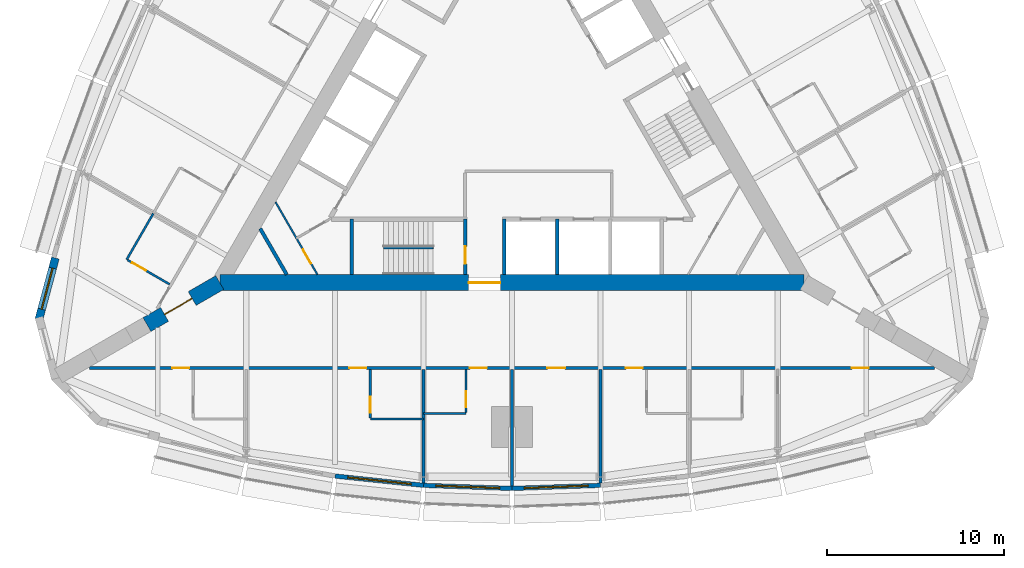
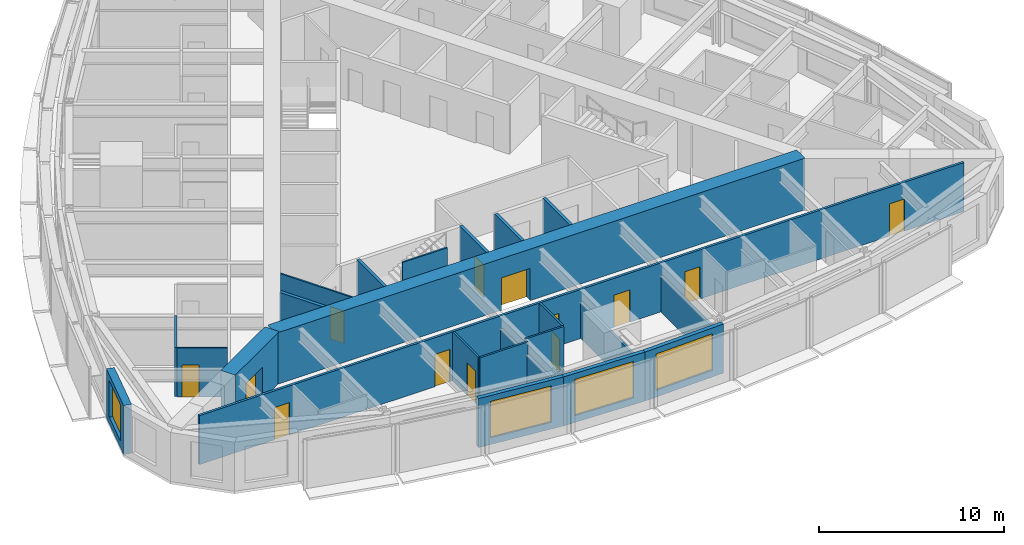
# One storey, part 8 of 14: 23 walls, 13 doors, 4 windows, 17 openings.
"""IFC4 building model written with IfcOpenShell, lengths in metres."""

from ifc_helpers import new_model, si_unit, direction, frame, frame_2d, origin, place, context, subcontext, project, spatial, rectangle, extrude, material, layer, layer_set, type_object, element, fill, save


model = new_model("IFC4")

# Units and contexts
model_context = context("Model", 3, precision=1e-05, world=origin(), true_north=direction((0.0, 1.0)))
body_context = subcontext(model_context, "Body", "Model", "MODEL_VIEW")
ifc_project = project(units=[si_unit("LENGTHUNIT", "METRE"), si_unit("AREAUNIT", "SQUARE_METRE"), si_unit("VOLUMEUNIT", "CUBIC_METRE"), si_unit("PLANEANGLEUNIT", "RADIAN"), si_unit("MASSUNIT", "GRAM", prefix="KILO")], contexts=[model_context])

# Site, building, storey
site_placement = place(None, origin())
site = spatial("IfcSite", under=ifc_project, at=site_placement, CompositionType="ELEMENT")
building_placement = place(site_placement, origin())
building = spatial("IfcBuilding", under=site, at=building_placement, Name="Trikona Tower", CompositionType="ELEMENT")
storey_placement = place(building_placement, frame((0.0, 0.0, 131.699951171875)))
storey = spatial("IfcBuildingStorey", under=building, at=storey_placement, Name="L34", CompositionType="ELEMENT", Elevation=131.699951171875)

# Wall
ifc_material_1 = material(Name="Metal stud and cement board", Category="gypsum")
ifc_layer_1 = layer(ifc_material_1, 0.1201171875)
ifc_layer_set_1 = layer_set([ifc_layer_1], Name="Bathroom wall 120")
wall_type_1 = type_object("IfcWallType", Name="Bathroom wall 120", PredefinedType="PLUMBINGWALL", material=ifc_layer_set_1)
wall_1_placement = place(storey_placement, frame((-8.0, -17.226318359375, 0.0), z_axis=(0.0, 0.0, 1.0), x_axis=(1.0, 0.0, 0.0)))
element("IfcWall", 1, at=wall_1_placement, inside=storey, type_object=wall_type_1, Name="Bathroom wall 3402", PredefinedType="PLUMBINGWALL", context=body_context, shape_type="SweptSolid", body=[
    extrude(rectangle(XDim=3.0, YDim=0.1201171875, at=frame_2d((1.5, 0.0))), origin(), (0.0, 0.0, 1.0), 3.235107421875),
])

# Wall, opening, door
wall_2_placement = place(storey_placement, frame((-8.0, -14.42626953125, 0.0), z_axis=(0.0, 0.0, 1.0), x_axis=(0.0, -1.0, 0.0)))
wall_2 = element("IfcWall", 2, at=wall_2_placement, inside=storey, type_object=wall_type_1, Name="Bathroom wall 3402", PredefinedType="PLUMBINGWALL", context=body_context, shape_type="SweptSolid", body=[
    extrude(rectangle(XDim=2.739990234375, YDim=0.1201171875, at=frame_2d((1.3701171875, 0.0))), origin(), (0.0, 0.0, 1.0), 3.235107421875),
])
opening_1_placement = place(wall_2_placement, frame((1.550048828125, 0.0, 0.0)))
opening_1 = element("IfcOpeningElement", 3, at=opening_1_placement, cuts=wall_2, Name="Opening D2", PredefinedType="OPENING", context=body_context, shape_type="SweptSolid", body=[
    extrude(rectangle(XDim=0.89990234375, YDim=2.1298828125, at=frame_2d((0.449951171875, 1.06494140625))), frame((0.0, 0.070068359375, 0.0), z_axis=(0.0, -1.0, 0.0), x_axis=(1.0, 0.0, 0.0)), (0.0, 0.0, 1.0), 0.14013671875),
])
ifc_material_2 = material(Name="Steel door frame with solid-core timber leaf", Category="steel")
door_type_1 = type_object("IfcDoorType", Name="Bathroom door 900x2130", OperationType="SLIDING_TO_LEFT", PredefinedType="DOOR", material=ifc_material_2)
door_1_placement = place(opening_1_placement, origin())
door_1 = element("IfcDoor", 4, at=door_1_placement, inside=storey, type_object=door_type_1, Name="Bathroom door 3402", OperationType="SLIDING_TO_LEFT", OverallHeight=2.1298828125, OverallWidth=0.89990234375, PredefinedType="DOOR", context=body_context, shape_type="SweptSolid", body=[
    extrude(rectangle(XDim=0.89990234375, YDim=2.1298828125, at=frame_2d((0.449951171875, 1.06494140625))), frame((0.0, 0.02490234375, 0.0), z_axis=(0.0, -1.0, 0.0), x_axis=(1.0, 0.0, 0.0)), (0.0, 0.0, 1.0), 0.050048828125),
])
fill(opening_1, door_1)

# Wall
wall_3_placement = place(storey_placement, frame((-5.0, -16.92626953125, 0.0), z_axis=(0.0, 0.0, 1.0), x_axis=(1.0, 0.0, 0.0)))
element("IfcWall", 5, at=wall_3_placement, inside=storey, type_object=wall_type_1, Name="Bathroom wall 3403", PredefinedType="PLUMBINGWALL", context=body_context, shape_type="SweptSolid", body=[
    extrude(rectangle(XDim=2.39990234375, YDim=0.1201171875, at=frame_2d((1.199951171875, 0.0))), origin(), (0.0, 0.0, 1.0), 3.235107421875),
])

# Wall, opening, door
wall_4_placement = place(storey_placement, frame((-2.60009765625, -14.42626953125, 0.0), z_axis=(0.0, 0.0, 1.0), x_axis=(0.0, -1.0, 0.0)))
wall_4 = element("IfcWall", 6, at=wall_4_placement, inside=storey, type_object=wall_type_1, Name="Bathroom wall 3403", PredefinedType="PLUMBINGWALL", context=body_context, shape_type="SweptSolid", body=[
    extrude(rectangle(XDim=2.43994140625, YDim=0.1201171875, at=frame_2d((1.219970703125, 0.0))), origin(), (0.0, 0.0, 1.0), 3.235107421875),
])
opening_2_placement = place(wall_4_placement, frame((1.25, 0.0, 0.0)))
opening_2 = element("IfcOpeningElement", 7, at=opening_2_placement, cuts=wall_4, Name="Opening D2", PredefinedType="OPENING", context=body_context, shape_type="SweptSolid", body=[
    extrude(rectangle(XDim=0.89990234375, YDim=2.1298828125, at=frame_2d((0.449951171875, 1.06494140625))), frame((0.0, 0.070068359375, 0.0), z_axis=(0.0, -1.0, 0.0), x_axis=(1.0, 0.0, 0.0)), (0.0, 0.0, 1.0), 0.14013671875),
])
door_2_placement = place(opening_2_placement, origin())
door_2 = element("IfcDoor", 8, at=door_2_placement, inside=storey, type_object=door_type_1, Name="Bathroom door 3403", OperationType="SLIDING_TO_LEFT", OverallHeight=2.1298828125, OverallWidth=0.89990234375, PredefinedType="DOOR", context=body_context, shape_type="SweptSolid", body=[
    extrude(rectangle(XDim=0.89990234375, YDim=2.1298828125, at=frame_2d((0.449951171875, 1.06494140625))), frame((0.0, 0.02490234375, 0.0), z_axis=(0.0, -1.0, 0.0), x_axis=(1.0, 0.0, 0.0)), (0.0, 0.0, 1.0), 0.050048828125),
])
fill(opening_2, door_2)

# Wall
wall_5_placement = place(storey_placement, frame((-20.25341796875, -5.627197265625, 0.0), z_axis=(0.0, 0.0, 1.0), x_axis=(-0.499990139034, -0.866031096941, 0.0)))
element("IfcWall", 9, at=wall_5_placement, inside=storey, type_object=wall_type_1, Name="Bathroom wall 3418", PredefinedType="PLUMBINGWALL", context=body_context, shape_type="SweptSolid", body=[
    extrude(rectangle(XDim=3.0, YDim=0.1201171875, at=frame_2d((1.5, 0.0))), origin(), (0.0, 0.0, 1.0), 3.235107421875),
])

# Wall, opening, door
wall_6_placement = place(storey_placement, frame((-19.32861328125, -9.625244140625, 0.0), z_axis=(0.0, 0.0, 1.0), x_axis=(-0.866035715982, 0.499982138324, 0.0)))
wall_6 = element("IfcWall", 10, at=wall_6_placement, inside=storey, type_object=wall_type_1, Name="Bathroom wall 3418", PredefinedType="PLUMBINGWALL", context=body_context, shape_type="SweptSolid", body=[
    extrude(rectangle(XDim=2.73974609375, YDim=0.1201171875, at=frame_2d((1.369873046875, 0.0))), origin(), (0.0, 0.0, 1.0), 3.235107421875),
])
opening_3_placement = place(wall_6_placement, frame((1.550048828125, 0.0, 0.0)))
opening_3 = element("IfcOpeningElement", 11, at=opening_3_placement, cuts=wall_6, Name="Opening D2", PredefinedType="OPENING", context=body_context, shape_type="SweptSolid", body=[
    extrude(rectangle(XDim=0.89990234375, YDim=2.1298828125, at=frame_2d((0.449951171875, 1.06494140625))), frame((0.0, 0.070068359375, 0.0), z_axis=(0.0, -1.0, 0.0), x_axis=(1.0, 0.0, 0.0)), (0.0, 0.0, 1.0), 0.14013671875),
])
door_3_placement = place(opening_3_placement, origin())
door_3 = element("IfcDoor", 12, at=door_3_placement, inside=storey, type_object=door_type_1, Name="Bathroom door 3418", OperationType="SLIDING_TO_LEFT", OverallHeight=2.1298828125, OverallWidth=0.89990234375, PredefinedType="DOOR", context=body_context, shape_type="SweptSolid", body=[
    extrude(rectangle(XDim=0.89990234375, YDim=2.1298828125, at=frame_2d((0.449951171875, 1.06494140625))), frame((0.0, 0.02490234375, 0.0), z_axis=(0.0, -1.0, 0.0), x_axis=(1.0, 0.0, 0.0)), (0.0, 0.0, 1.0), 0.050048828125),
])
fill(opening_3, door_3)

# Wall, opening, window
ifc_material_3 = material(Name="Brick-faced precast concrete", Category="masonry")
ifc_layer_2 = layer(ifc_material_3, 0.449951171875)
ifc_layer_set_2 = layer_set([ifc_layer_2], Name="Brick-faced corner wall 450")
wall_type_2 = type_object("IfcWallType", Name="Brick-faced corner wall 450", PredefinedType="SOLIDWALL", material=ifc_layer_set_2)
wall_7_placement = place(storey_placement, frame((-25.78271484375, -8.14111328125, 0.0), z_axis=(0.0, 0.0, 1.0), x_axis=(-0.258823421857, -0.965924653531, 0.0)))
wall_7 = element("IfcWall", 13, at=wall_7_placement, inside=storey, type_object=wall_type_2, Name="External wall L34-32", PredefinedType="SOLIDWALL", context=body_context, shape_type="SweptSolid", body=[
    extrude(rectangle(XDim=3.58642578125, YDim=0.449951171875, at=frame_2d((1.793212890625, 0.0))), origin(), (0.0, 0.0, 1.0), 3.235107421875),
])
opening_4_placement = place(wall_7_placement, frame((0.593017578125, 0.0, 0.449951171875)))
opening_4 = element("IfcOpeningElement", 14, at=opening_4_placement, cuts=wall_7, Name="Opening W2424", PredefinedType="OPENING", context=body_context, shape_type="SweptSolid", body=[
    extrude(rectangle(XDim=2.39990234375, YDim=2.39990234375, at=frame_2d((1.199951171875, 1.199951171875))), frame((0.0, 0.23486328125, 0.0), z_axis=(0.0, -1.0, 0.0), x_axis=(1.0, 0.0, 0.0)), (0.0, 0.0, 1.0), 0.469970703125),
])
ifc_material_4 = material(Name="Aluminium-framed double glazing", Category="aluminium")
window_type_1 = type_object("IfcWindowType", Name="Window 2400x2400", PartitioningType="SINGLE_PANEL", PredefinedType="WINDOW", material=ifc_material_4)
window_1_placement = place(opening_4_placement, origin())
window_1 = element("IfcWindow", 15, at=window_1_placement, inside=storey, type_object=window_type_1, Name="Window 3418", OverallHeight=2.39990234375, OverallWidth=2.39990234375, PartitioningType="SINGLE_PANEL", PredefinedType="WINDOW", context=body_context, shape_type="SweptSolid", body=[
    extrude(rectangle(XDim=2.39990234375, YDim=2.39990234375, at=frame_2d((1.199951171875, 1.199951171875))), frame((0.0, 0.030029296875, 0.0), z_axis=(0.0, -1.0, 0.0), x_axis=(1.0, 0.0, 0.0)), (0.0, 0.0, 1.0), 0.06005859375),
])
fill(opening_4, window_1)

# Wall, opening, door
ifc_material_5 = material(Name="Concrete f'c 10000 psi", Category="concrete")
ifc_layer_3 = layer(ifc_material_5, 0.89990234375)
ifc_layer_set_3 = layer_set([ifc_layer_3], Name="Buttress wall 900")
wall_type_3 = type_object("IfcWallType", Name="Buttress wall 900", PredefinedType="SHEAR", material=ifc_layer_set_3)
wall_8_placement = place(storey_placement, frame((-16.5, -9.5263671875, 0.0), z_axis=(0.0, 0.0, 1.0), x_axis=(-0.866031398331, -0.499989616998, 0.0)))
wall_8 = element("IfcWall", 16, at=wall_8_placement, inside=storey, type_object=wall_type_3, Name="Buttress wall 3", PredefinedType="SHEAR", context=body_context, shape_type="SweptSolid", body=[
    extrude(rectangle(XDim=4.74609375, YDim=0.89990234375, at=frame_2d((2.373046875, 0.0))), origin(), (0.0, 0.0, 1.0), 3.400146484375),
])
opening_5_placement = place(wall_8_placement, frame((1.800048828125, 0.0, 0.0)))
opening_5 = element("IfcOpeningElement", 17, at=opening_5_placement, cuts=wall_8, Name="Opening D10", PredefinedType="OPENING", context=body_context, shape_type="SweptSolid", body=[
    extrude(rectangle(XDim=1.800048828125, YDim=2.1298828125, at=frame_2d((0.89990234375, 1.06494140625))), frame((0.0, 0.4599609375, 0.0), z_axis=(0.0, -1.0, 0.0), x_axis=(1.0, 0.0, 0.0)), (0.0, 0.0, 1.0), 0.919921875),
])
ifc_material_6 = material(Name="Hollow metal door and frame", Category="steel")
door_type_2 = type_object("IfcDoorType", Name="Cross-corridor door pair 1800x2130", OperationType="DOUBLE_DOOR_DOUBLE_SWING", PredefinedType="DOOR", material=ifc_material_6)
door_4_placement = place(opening_5_placement, origin())
door_4 = element("IfcDoor", 18, at=door_4_placement, inside=storey, type_object=door_type_2, Name="Cross-corridor door 3", OperationType="DOUBLE_DOOR_DOUBLE_SWING", OverallHeight=2.1298828125, OverallWidth=1.800048828125, PredefinedType="DOOR", context=body_context, shape_type="SweptSolid", body=[
    extrude(rectangle(XDim=1.800048828125, YDim=2.1298828125, at=frame_2d((0.89990234375, 1.06494140625))), frame((0.0, 0.02490234375, 0.0), z_axis=(0.0, -1.0, 0.0), x_axis=(1.0, 0.0, 0.0)), (0.0, 0.0, 1.0), 0.050048828125),
])
fill(opening_5, door_4)

ifc_material_7 = material(Name="Concrete f'c 10000 psi", Category="concrete")
ifc_layer_4 = layer(ifc_material_7, 0.89990234375)
ifc_layer_set_4 = layer_set([ifc_layer_4], Name="Core wall 900")
wall_type_4 = type_object("IfcWallType", Name="Core wall 900", PredefinedType="SHEAR", material=ifc_layer_set_4)
wall_9_placement = place(storey_placement, frame((-16.5, -9.5263671875, 0.0), z_axis=(0.0, 0.0, 1.0), x_axis=(1.0, 0.0, 0.0)))
wall_9 = element("IfcWall", 19, at=wall_9_placement, inside=storey, type_object=wall_type_4, Name="Core wall A", PredefinedType="SHEAR", context=body_context, shape_type="SweptSolid", body=[
    extrude(rectangle(XDim=33.0, YDim=0.89990234375, at=frame_2d((16.5, 0.0))), origin(), (0.0, 0.0, 1.0), 3.400146484375),
])
opening_6_placement = place(wall_9_placement, frame((14.050048828125, 0.0, 0.0)))
opening_6 = element("IfcOpeningElement", 20, at=opening_6_placement, cuts=wall_9, Name="Opening D6", PredefinedType="OPENING", context=body_context, shape_type="SweptSolid", body=[
    extrude(rectangle(XDim=1.800048828125, YDim=2.1298828125, at=frame_2d((0.89990234375, 1.06494140625))), frame((0.0, 0.4599609375, 0.0), z_axis=(0.0, -1.0, 0.0), x_axis=(1.0, 0.0, 0.0)), (0.0, 0.0, 1.0), 0.919921875),
])
ifc_material_8 = material(Name="Hollow metal door and frame", Category="steel")
door_type_3 = type_object("IfcDoorType", Name="Lobby door pair 1800x2130", OperationType="DOUBLE_DOOR_SINGLE_SWING", PredefinedType="DOOR", material=ifc_material_8)
door_5_placement = place(opening_6_placement, origin())
door_5 = element("IfcDoor", 21, at=door_5_placement, inside=storey, type_object=door_type_3, Name="Fire service lift lobby door", OperationType="DOUBLE_DOOR_SINGLE_SWING", OverallHeight=2.1298828125, OverallWidth=1.800048828125, PredefinedType="DOOR", context=body_context, shape_type="SweptSolid", body=[
    extrude(rectangle(XDim=1.800048828125, YDim=2.1298828125, at=frame_2d((0.89990234375, 1.06494140625))), frame((0.0, 0.02490234375, 0.0), z_axis=(0.0, -1.0, 0.0), x_axis=(1.0, 0.0, 0.0)), (0.0, 0.0, 1.0), 0.050048828125),
])
fill(opening_6, door_5)

# Wall, openings, doors
ifc_material_9 = material(Name="Metal stud and gypsum board, 1-hour", Category="gypsum")
ifc_layer_5 = layer(ifc_material_9, 0.14990234375)
ifc_layer_set_5 = layer_set([ifc_layer_5], Name="Corridor wall 150")
wall_type_5 = type_object("IfcWallType", Name="Corridor wall 150", PredefinedType="PARTITIONING", material=ifc_layer_set_5)
wall_10_placement = place(storey_placement, frame((-23.857177734375, -14.351318359375, 0.0), z_axis=(0.0, 0.0, 1.0), x_axis=(1.0, 0.0, 0.0)))
wall_10 = element("IfcWall", 22, at=wall_10_placement, inside=storey, type_object=wall_type_5, Name="Corridor wall L34-1", PredefinedType="PARTITIONING", context=body_context, shape_type="SweptSolid", body=[
    extrude(rectangle(XDim=47.71435546875, YDim=0.14990234375, at=frame_2d((23.857177734375, 0.0))), origin(), (0.0, 0.0, 1.0), 3.235107421875),
])
opening_7_placement = place(wall_10_placement, frame((4.68212890625, 0.0, 0.0)))
opening_7 = element("IfcOpeningElement", 23, at=opening_7_placement, cuts=wall_10, Name="Opening D1", PredefinedType="OPENING", context=body_context, shape_type="SweptSolid", body=[
    extrude(rectangle(XDim=0.949951171875, YDim=2.1298828125, at=frame_2d((0.47509765625, 1.06494140625))), frame((0.0, 0.0849609375, 0.0), z_axis=(0.0, -1.0, 0.0), x_axis=(1.0, 0.0, 0.0)), (0.0, 0.0, 1.0), 0.169921875),
])
opening_8_placement = place(wall_10_placement, frame((14.68212890625, 0.0, 0.0)))
opening_8 = element("IfcOpeningElement", 24, at=opening_8_placement, cuts=wall_10, Name="Opening D1", PredefinedType="OPENING", context=body_context, shape_type="SweptSolid", body=[
    extrude(rectangle(XDim=0.949951171875, YDim=2.1298828125, at=frame_2d((0.47509765625, 1.06494140625))), frame((0.0, 0.0849609375, 0.0), z_axis=(0.0, -1.0, 0.0), x_axis=(1.0, 0.0, 0.0)), (0.0, 0.0, 1.0), 0.169921875),
])
opening_9_placement = place(wall_10_placement, frame((21.482177734375, 0.0, 0.0)))
opening_9 = element("IfcOpeningElement", 25, at=opening_9_placement, cuts=wall_10, Name="Opening D1", PredefinedType="OPENING", context=body_context, shape_type="SweptSolid", body=[
    extrude(rectangle(XDim=0.949951171875, YDim=2.1298828125, at=frame_2d((0.47509765625, 1.06494140625))), frame((0.0, 0.0849609375, 0.0), z_axis=(0.0, -1.0, 0.0), x_axis=(1.0, 0.0, 0.0)), (0.0, 0.0, 1.0), 0.169921875),
])
opening_10_placement = place(wall_10_placement, frame((25.857177734375, 0.0, 0.0)))
opening_10 = element("IfcOpeningElement", 26, at=opening_10_placement, cuts=wall_10, Name="Opening D3", PredefinedType="OPENING", context=body_context, shape_type="SweptSolid", body=[
    extrude(rectangle(XDim=1.0, YDim=2.1298828125, at=frame_2d((0.5, 1.06494140625))), frame((0.0, 0.0849609375, 0.0), z_axis=(0.0, -1.0, 0.0), x_axis=(1.0, 0.0, 0.0)), (0.0, 0.0, 1.0), 0.169921875),
])
opening_11_placement = place(wall_10_placement, frame((30.281982421875, 0.0, 0.0)))
opening_11 = element("IfcOpeningElement", 27, at=opening_11_placement, cuts=wall_10, Name="Opening D1", PredefinedType="OPENING", context=body_context, shape_type="SweptSolid", body=[
    extrude(rectangle(XDim=0.949951171875, YDim=2.1298828125, at=frame_2d((0.47509765625, 1.06494140625))), frame((0.0, 0.0849609375, 0.0), z_axis=(0.0, -1.0, 0.0), x_axis=(1.0, 0.0, 0.0)), (0.0, 0.0, 1.0), 0.169921875),
])
opening_12_placement = place(wall_10_placement, frame((43.041015625, 0.0, 0.0)))
opening_12 = element("IfcOpeningElement", 28, at=opening_12_placement, cuts=wall_10, Name="Opening D1", PredefinedType="OPENING", context=body_context, shape_type="SweptSolid", body=[
    extrude(rectangle(XDim=0.949951171875, YDim=2.1298828125, at=frame_2d((0.47509765625, 1.06494140625))), frame((0.0, 0.0849609375, 0.0), z_axis=(0.0, -1.0, 0.0), x_axis=(1.0, 0.0, 0.0)), (0.0, 0.0, 1.0), 0.169921875),
])
ifc_material_10 = material(Name="Steel door frame with solid-core timber leaf", Category="steel")
door_type_4 = type_object("IfcDoorType", Name="Guest room door 950x2130", OperationType="SINGLE_SWING_LEFT", PredefinedType="DOOR", material=ifc_material_10)
door_6_placement = place(opening_7_placement, origin())
door_6 = element("IfcDoor", 29, at=door_6_placement, inside=storey, type_object=door_type_4, Name="Room door 3401", OperationType="SINGLE_SWING_LEFT", OverallHeight=2.1298828125, OverallWidth=0.949951171875, PredefinedType="DOOR", context=body_context, shape_type="SweptSolid", body=[
    extrude(rectangle(XDim=0.949951171875, YDim=2.1298828125, at=frame_2d((0.47509765625, 1.06494140625))), frame((0.0, 0.02490234375, 0.0), z_axis=(0.0, -1.0, 0.0), x_axis=(1.0, 0.0, 0.0)), (0.0, 0.0, 1.0), 0.050048828125),
])
fill(opening_7, door_6)
door_7_placement = place(opening_8_placement, origin())
door_7 = element("IfcDoor", 30, at=door_7_placement, inside=storey, type_object=door_type_4, Name="Room door 3402", OperationType="SINGLE_SWING_RIGHT", OverallHeight=2.1298828125, OverallWidth=0.949951171875, PredefinedType="DOOR", context=body_context, shape_type="SweptSolid", body=[
    extrude(rectangle(XDim=0.949951171875, YDim=2.1298828125, at=frame_2d((0.47509765625, 1.06494140625))), frame((0.0, 0.02490234375, 0.0), z_axis=(0.0, -1.0, 0.0), x_axis=(1.0, 0.0, 0.0)), (0.0, 0.0, 1.0), 0.050048828125),
])
fill(opening_8, door_7)
door_8_placement = place(opening_9_placement, origin())
door_8 = element("IfcDoor", 31, at=door_8_placement, inside=storey, type_object=door_type_4, Name="Room door 3403", OperationType="SINGLE_SWING_LEFT", OverallHeight=2.1298828125, OverallWidth=0.949951171875, PredefinedType="DOOR", context=body_context, shape_type="SweptSolid", body=[
    extrude(rectangle(XDim=0.949951171875, YDim=2.1298828125, at=frame_2d((0.47509765625, 1.06494140625))), frame((0.0, 0.02490234375, 0.0), z_axis=(0.0, -1.0, 0.0), x_axis=(1.0, 0.0, 0.0)), (0.0, 0.0, 1.0), 0.050048828125),
])
fill(opening_9, door_8)
door_9_placement = place(opening_11_placement, origin())
door_9 = element("IfcDoor", 32, at=door_9_placement, inside=storey, type_object=door_type_4, Name="Room door 3404", OperationType="SINGLE_SWING_LEFT", OverallHeight=2.1298828125, OverallWidth=0.949951171875, PredefinedType="DOOR", context=body_context, shape_type="SweptSolid", body=[
    extrude(rectangle(XDim=0.949951171875, YDim=2.1298828125, at=frame_2d((0.47509765625, 1.06494140625))), frame((0.0, 0.02490234375, 0.0), z_axis=(0.0, -1.0, 0.0), x_axis=(1.0, 0.0, 0.0)), (0.0, 0.0, 1.0), 0.050048828125),
])
fill(opening_11, door_9)
door_10_placement = place(opening_12_placement, origin())
door_10 = element("IfcDoor", 33, at=door_10_placement, inside=storey, type_object=door_type_4, Name="Room door 3405", OperationType="SINGLE_SWING_RIGHT", OverallHeight=2.1298828125, OverallWidth=0.949951171875, PredefinedType="DOOR", context=body_context, shape_type="SweptSolid", body=[
    extrude(rectangle(XDim=0.949951171875, YDim=2.1298828125, at=frame_2d((0.47509765625, 1.06494140625))), frame((0.0, 0.02490234375, 0.0), z_axis=(0.0, -1.0, 0.0), x_axis=(1.0, 0.0, 0.0)), (0.0, 0.0, 1.0), 0.050048828125),
])
fill(opening_12, door_10)
ifc_material_11 = material(Name="Steel door frame with solid-core timber leaf", Category="steel")
door_type_5 = type_object("IfcDoorType", Name="Room door 1000x2130", OperationType="SINGLE_SWING_LEFT", PredefinedType="DOOR", material=ifc_material_11)
door_11_placement = place(opening_10_placement, origin())
door_11 = element("IfcDoor", 34, at=door_11_placement, inside=storey, type_object=door_type_5, Name="Door Housekeeping pantry", OperationType="SINGLE_SWING_RIGHT", OverallHeight=2.1298828125, OverallWidth=1.0, PredefinedType="DOOR", context=body_context, shape_type="SweptSolid", body=[
    extrude(rectangle(XDim=1.0, YDim=2.1298828125, at=frame_2d((0.5, 1.06494140625))), frame((0.0, 0.02490234375, 0.0), z_axis=(0.0, -1.0, 0.0), x_axis=(1.0, 0.0, 0.0)), (0.0, 0.0, 1.0), 0.050048828125),
])
fill(opening_10, door_11)

# Wall, opening, window
ifc_material_12 = material(Name="Insulated precast concrete spandrel panel", Category="concrete")
ifc_layer_6 = layer(ifc_material_12, 0.25)
ifc_layer_set_6 = layer_set([ifc_layer_6], Name="Inner skin wall 250")
wall_type_6 = type_object("IfcWallType", Name="Inner skin wall 250", PredefinedType="STANDARD", material=ifc_layer_set_6)
wall_11_placement = place(storey_placement, frame((-9.98681640625, -20.450927734375, 0.0), z_axis=(0.0, 0.0, 1.0), x_axis=(0.994534683851, -0.104406717299, 0.0)))
wall_11 = element("IfcWall", 35, at=wall_11_placement, inside=storey, type_object=wall_type_6, Name="External wall L34-02", PredefinedType="STANDARD", context=body_context, shape_type="SweptSolid", body=[
    extrude(rectangle(XDim=5.027587890625, YDim=0.25, at=frame_2d((2.513671875, 0.0))), origin(), (0.0, 0.0, 1.0), 3.235107421875),
])
opening_13_placement = place(wall_11_placement, frame((0.713623046875, 0.0, 0.449951171875)))
opening_13 = element("IfcOpeningElement", 36, at=opening_13_placement, cuts=wall_11, Name="Opening W3624", PredefinedType="OPENING", context=body_context, shape_type="SweptSolid", body=[
    extrude(rectangle(XDim=3.60009765625, YDim=2.39990234375, at=frame_2d((1.800048828125, 1.199951171875))), frame((0.0, 0.135009765625, 0.0), z_axis=(0.0, -1.0, 0.0), x_axis=(1.0, 0.0, 0.0)), (0.0, 0.0, 1.0), 0.27001953125),
])
ifc_material_13 = material(Name="Aluminium-framed double glazing", Category="aluminium")
window_type_2 = type_object("IfcWindowType", Name="Window 3600x2400", PartitioningType="SINGLE_PANEL", PredefinedType="WINDOW", material=ifc_material_13)
window_2_placement = place(opening_13_placement, origin())
window_2 = element("IfcWindow", 37, at=window_2_placement, inside=storey, type_object=window_type_2, Name="Window 3402", OverallHeight=2.39990234375, OverallWidth=3.60009765625, PartitioningType="SINGLE_PANEL", PredefinedType="WINDOW", context=body_context, shape_type="SweptSolid", body=[
    extrude(rectangle(XDim=3.60009765625, YDim=2.39990234375, at=frame_2d((1.800048828125, 1.199951171875))), frame((0.0, 0.030029296875, 0.0), z_axis=(0.0, -1.0, 0.0), x_axis=(1.0, 0.0, 0.0)), (0.0, 0.0, 1.0), 0.06005859375),
])
fill(opening_13, window_2)

wall_12_placement = place(storey_placement, frame((-4.99560546875, -20.975341796875, 0.0), z_axis=(0.0, 0.0, 1.0), x_axis=(0.999387720943, -0.034988329879, 0.0)))
wall_12 = element("IfcWall", 38, at=wall_12_placement, inside=storey, type_object=wall_type_6, Name="External wall L34-03", PredefinedType="STANDARD", context=body_context, shape_type="SweptSolid", body=[
    extrude(rectangle(XDim=5.003173828125, YDim=0.25, at=frame_2d((2.50146484375, 0.0))), origin(), (0.0, 0.0, 1.0), 3.235107421875),
])
opening_14_placement = place(wall_12_placement, frame((0.701416015625, 0.0, 0.449951171875)))
opening_14 = element("IfcOpeningElement", 39, at=opening_14_placement, cuts=wall_12, Name="Opening W3624", PredefinedType="OPENING", context=body_context, shape_type="SweptSolid", body=[
    extrude(rectangle(XDim=3.60009765625, YDim=2.39990234375, at=frame_2d((1.800048828125, 1.199951171875))), frame((0.0, 0.135009765625, 0.0), z_axis=(0.0, -1.0, 0.0), x_axis=(1.0, 0.0, 0.0)), (0.0, 0.0, 1.0), 0.27001953125),
])
window_3_placement = place(opening_14_placement, origin())
window_3 = element("IfcWindow", 40, at=window_3_placement, inside=storey, type_object=window_type_2, Name="Window 3403", OverallHeight=2.39990234375, OverallWidth=3.60009765625, PartitioningType="SINGLE_PANEL", PredefinedType="WINDOW", context=body_context, shape_type="SweptSolid", body=[
    extrude(rectangle(XDim=3.60009765625, YDim=2.39990234375, at=frame_2d((1.800048828125, 1.199951171875))), frame((0.0, 0.030029296875, 0.0), z_axis=(0.0, -1.0, 0.0), x_axis=(1.0, 0.0, 0.0)), (0.0, 0.0, 1.0), 0.06005859375),
])
fill(opening_14, window_3)

wall_13_placement = place(storey_placement, frame((-0.00439453125, -21.150390625, 0.0), z_axis=(0.0, 0.0, 1.0), x_axis=(0.999387720943, 0.034988329879, 0.0)))
wall_13 = element("IfcWall", 41, at=wall_13_placement, inside=storey, type_object=wall_type_6, Name="External wall L34-04", PredefinedType="STANDARD", context=body_context, shape_type="SweptSolid", body=[
    extrude(rectangle(XDim=5.003173828125, YDim=0.25, at=frame_2d((2.50146484375, 0.0))), origin(), (0.0, 0.0, 1.0), 3.235107421875),
])
opening_15_placement = place(wall_13_placement, frame((0.701416015625, 0.0, 0.449951171875)))
opening_15 = element("IfcOpeningElement", 42, at=opening_15_placement, cuts=wall_13, Name="Opening W3624", PredefinedType="OPENING", context=body_context, shape_type="SweptSolid", body=[
    extrude(rectangle(XDim=3.60009765625, YDim=2.39990234375, at=frame_2d((1.800048828125, 1.199951171875))), frame((0.0, 0.135009765625, 0.0), z_axis=(0.0, -1.0, 0.0), x_axis=(1.0, 0.0, 0.0)), (0.0, 0.0, 1.0), 0.27001953125),
])
window_4_placement = place(opening_15_placement, origin())
window_4 = element("IfcWindow", 43, at=window_4_placement, inside=storey, type_object=window_type_2, Name="Window L34-HKP", OverallHeight=2.39990234375, OverallWidth=3.60009765625, PartitioningType="SINGLE_PANEL", PredefinedType="WINDOW", context=body_context, shape_type="SweptSolid", body=[
    extrude(rectangle(XDim=3.60009765625, YDim=2.39990234375, at=frame_2d((1.800048828125, 1.199951171875))), frame((0.0, 0.030029296875, 0.0), z_axis=(0.0, -1.0, 0.0), x_axis=(1.0, 0.0, 0.0)), (0.0, 0.0, 1.0), 0.06005859375),
])
fill(opening_15, window_4)

# Walls
ifc_material_14 = material(Name="Metal stud and gypsum board, 1-hour acoustic", Category="gypsum")
ifc_layer_7 = layer(ifc_material_14, 0.14990234375)
ifc_layer_set_7 = layer_set([ifc_layer_7], Name="Party wall 150")
wall_type_7 = type_object("IfcWallType", Name="Party wall 150", PredefinedType="PARTITIONING", material=ifc_layer_set_7)
wall_14_placement = place(storey_placement, frame((-5.0, -14.42626953125, 0.0), z_axis=(0.0, 0.0, 1.0), x_axis=(0.0, -1.0, 0.0)))
element("IfcWall", 44, at=wall_14_placement, inside=storey, type_object=wall_type_7, Name="Partition L34 F1 u-5", PredefinedType="PARTITIONING", context=body_context, shape_type="SweptSolid", body=[
    extrude(rectangle(XDim=6.422607421875, YDim=0.14990234375, at=frame_2d((3.21142578125, 0.0))), origin(), (0.0, 0.0, 1.0), 2.38916015625),
])
wall_15_placement = place(storey_placement, frame((0.0, -14.42626953125, 0.0), z_axis=(0.0, 0.0, 1.0), x_axis=(0.0, -1.0, 0.0)))
element("IfcWall", 45, at=wall_15_placement, inside=storey, type_object=wall_type_7, Name="Partition L34 F1 u-9.86076e-31", PredefinedType="PARTITIONING", context=body_context, shape_type="SweptSolid", body=[
    extrude(rectangle(XDim=6.5986328125, YDim=0.14990234375, at=frame_2d((3.29931640625, 0.0))), origin(), (0.0, 0.0, 1.0), 2.38916015625),
])
wall_16_placement = place(storey_placement, frame((5.0, -14.42626953125, 0.0), z_axis=(0.0, 0.0, 1.0), x_axis=(0.0, -1.0, 0.0)))
element("IfcWall", 46, at=wall_16_placement, inside=storey, type_object=wall_type_7, Name="Partition L34 F1 u5", PredefinedType="PARTITIONING", context=body_context, shape_type="SweptSolid", body=[
    extrude(rectangle(XDim=6.422607421875, YDim=0.14990234375, at=frame_2d((3.21142578125, 0.0))), origin(), (0.0, 0.0, 1.0), 2.38916015625),
])
ifc_material_15 = material(Name="Concrete f'c 8000 psi", Category="concrete")
ifc_layer_8 = layer(ifc_material_15, 0.199951171875)
ifc_layer_set_8 = layer_set([ifc_layer_8], Name="Shaft wall 200")
wall_type_8 = type_object("IfcWallType", Name="Shaft wall 200", PredefinedType="SOLIDWALL", material=ifc_layer_set_8)
for number, where, z_axis, x_axis, name in (
    (47, (-0.449951171875, -5.951416015625, 0.0), (0.0, 0.0, 1.0), (0.0, -1.0, 0.0), "Shaft wall A3"),
    (48, (2.550048828125, -5.951416015625, 0.0), (0.0, 0.0, 1.0), (0.0, -1.0, 0.0), "Shaft wall A4"),
):
    element("IfcWall", number, at=place(storey_placement, frame(where, z_axis=z_axis, x_axis=x_axis)), inside=storey, type_object=wall_type_8, Name=name, PredefinedType="SOLIDWALL", context=body_context, shape_type="SweptSolid", body=[
        extrude(rectangle(XDim=3.125, YDim=0.199951171875, at=frame_2d((1.5625, 0.0))), origin(), (0.0, 0.0, 1.0), 3.235107421875),
    ])
wall_17_placement = place(storey_placement, frame((-12.718505859375, -9.076416015625, 0.0), z_axis=(0.0, 0.0, 1.0), x_axis=(-0.499952404951, 0.866052881055, 0.0)))
element("IfcWall", 49, at=wall_17_placement, inside=storey, type_object=wall_type_8, Name="Riser wall L34-RS3", PredefinedType="SOLIDWALL", context=body_context, shape_type="SweptSolid", body=[
    extrude(rectangle(XDim=3.002197265625, YDim=0.199951171875, at=frame_2d((1.5009765625, 0.0))), origin(), (0.0, 0.0, 1.0), 3.235107421875),
])
ifc_material_16 = material(Name="Concrete f'c 8000 psi", Category="concrete")
ifc_layer_9 = layer(ifc_material_16, 0.199951171875)
ifc_layer_set_9 = layer_set([ifc_layer_9], Name="Shaft wall 200 load-bearing")
wall_type_9 = type_object("IfcWallType", Name="Shaft wall 200 load-bearing", PredefinedType="SOLIDWALL", material=ifc_layer_set_9)
wall_18_placement = place(storey_placement, frame((-9.050048828125, -5.951416015625, 0.0), z_axis=(0.0, 0.0, 1.0), x_axis=(0.0, -1.0, 0.0)))
element("IfcWall", 50, at=wall_18_placement, inside=storey, type_object=wall_type_9, Name="Shaft wall A1", PredefinedType="SOLIDWALL", context=body_context, shape_type="SweptSolid", body=[
    extrude(rectangle(XDim=3.125, YDim=0.199951171875, at=frame_2d((1.5625, 0.0))), origin(), (0.0, 0.0, 1.0), 3.235107421875),
])

# Wall, opening, door
wall_19_placement = place(storey_placement, frame((-2.64990234375, -5.951416015625, 0.0), z_axis=(0.0, 0.0, 1.0), x_axis=(0.0, -1.0, 0.0)))
wall_19 = element("IfcWall", 51, at=wall_19_placement, inside=storey, type_object=wall_type_9, Name="Shaft wall A2", PredefinedType="SOLIDWALL", context=body_context, shape_type="SweptSolid", body=[
    extrude(rectangle(XDim=3.125, YDim=0.199951171875, at=frame_2d((1.5625, 0.0))), origin(), (0.0, 0.0, 1.0), 3.235107421875),
])
opening_16_placement = place(wall_19_placement, frame((1.52490234375, 0.0, 0.0)))
opening_16 = element("IfcOpeningElement", 52, at=opening_16_placement, cuts=wall_19, Name="Opening D5", PredefinedType="OPENING", context=body_context, shape_type="SweptSolid", body=[
    extrude(rectangle(XDim=1.0, YDim=2.1298828125, at=frame_2d((0.5, 1.06494140625))), frame((0.0, 0.10986328125, 0.0), z_axis=(0.0, -1.0, 0.0), x_axis=(1.0, 0.0, 0.0)), (0.0, 0.0, 1.0), 0.219970703125),
])
ifc_material_17 = material(Name="Hollow metal door and frame", Category="steel")
door_type_6 = type_object("IfcDoorType", Name="Stair door 1000x2130", OperationType="SINGLE_SWING_LEFT", PredefinedType="DOOR", material=ifc_material_17)
door_12_placement = place(opening_16_placement, origin())
door_12 = element("IfcDoor", 53, at=door_12_placement, inside=storey, type_object=door_type_6, Name="Stair A door", OperationType="SINGLE_SWING_RIGHT", OverallHeight=2.1298828125, OverallWidth=1.0, PredefinedType="DOOR", context=body_context, shape_type="SweptSolid", body=[
    extrude(rectangle(XDim=1.0, YDim=2.1298828125, at=frame_2d((0.5, 1.06494140625))), frame((0.0, 0.02490234375, 0.0), z_axis=(0.0, -1.0, 0.0), x_axis=(1.0, 0.0, 0.0)), (0.0, 0.0, 1.0), 0.050048828125),
])
fill(opening_16, door_12)

# Wall
ifc_material_18 = material(Name="Concrete f'c 5000 psi", Category="concrete")
ifc_layer_10 = layer(ifc_material_18, 0.10009765625)
ifc_layer_set_10 = layer_set([ifc_layer_10], Name="Stair spine wall 100")
wall_type_10 = type_object("IfcWallType", Name="Stair spine wall 100", PredefinedType="SOLIDWALL", material=ifc_layer_set_10)
wall_20_placement = place(storey_placement, frame((-7.2470703125, -7.576416015625, 0.0), z_axis=(0.0, 0.0, 1.0), x_axis=(1.0, 0.0, 0.0)))
element("IfcWall", 54, at=wall_20_placement, inside=storey, type_object=wall_type_10, Name="Stair A spine wall L34", PredefinedType="SOLIDWALL", context=body_context, shape_type="SweptSolid", body=[
    extrude(rectangle(XDim=2.794189453125, YDim=0.10009765625, at=frame_2d((1.39697265625, 0.0))), origin(), (0.0, 0.0, 1.0), 3.400146484375),
])

# Wall, opening, door
ifc_material_19 = material(Name="Metal stud and gypsum board, acoustic", Category="gypsum")
ifc_layer_11 = layer(ifc_material_19, 0.10009765625)
ifc_layer_set_11 = layer_set([ifc_layer_11], Name="Suite partition 100")
wall_type_11 = type_object("IfcWallType", Name="Suite partition 100", PredefinedType="PARTITIONING", material=ifc_layer_set_11)
wall_21_placement = place(storey_placement, frame((-10.986328125, -9.076416015625, 0.0), z_axis=(0.0, 0.0, 1.0), x_axis=(-0.499999210213, 0.866025859768, 0.0)))
wall_21 = element("IfcWall", 55, at=wall_21_placement, inside=storey, type_object=wall_type_11, Name="Store partition L34-RS3", PredefinedType="PARTITIONING", context=body_context, shape_type="SweptSolid", body=[
    extrude(rectangle(XDim=4.734375, YDim=0.10009765625, at=frame_2d((2.3671875, 0.0))), origin(), (0.0, 0.0, 1.0), 3.235107421875),
])
opening_17_placement = place(wall_21_placement, frame((0.733642578125, 0.0, 0.0)))
opening_17 = element("IfcOpeningElement", 56, at=opening_17_placement, cuts=wall_21, Name="Opening D15", PredefinedType="OPENING", context=body_context, shape_type="SweptSolid", body=[
    extrude(rectangle(XDim=0.89990234375, YDim=2.1298828125, at=frame_2d((0.449951171875, 1.06494140625))), frame((0.0, 0.06005859375, 0.0), z_axis=(0.0, -1.0, 0.0), x_axis=(1.0, 0.0, 0.0)), (0.0, 0.0, 1.0), 0.1201171875),
])
ifc_material_20 = material(Name="Steel door frame with solid-core timber leaf", Category="steel")
door_type_7 = type_object("IfcDoorType", Name="Store door 900x2130", OperationType="SINGLE_SWING_LEFT", PredefinedType="DOOR", material=ifc_material_20)
door_13_placement = place(opening_17_placement, origin())
door_13 = element("IfcDoor", 57, at=door_13_placement, inside=storey, type_object=door_type_7, Name="Door Cleaner's store CLN", OperationType="SINGLE_SWING_LEFT", OverallHeight=2.1298828125, OverallWidth=0.89990234375, PredefinedType="DOOR", context=body_context, shape_type="SweptSolid", body=[
    extrude(rectangle(XDim=0.89990234375, YDim=2.1298828125, at=frame_2d((0.449951171875, 1.06494140625))), frame((0.0, 0.02490234375, 0.0), z_axis=(0.0, -1.0, 0.0), x_axis=(1.0, 0.0, 0.0)), (0.0, 0.0, 1.0), 0.050048828125),
])
fill(opening_17, door_13)

save(model, "model.ifc")
